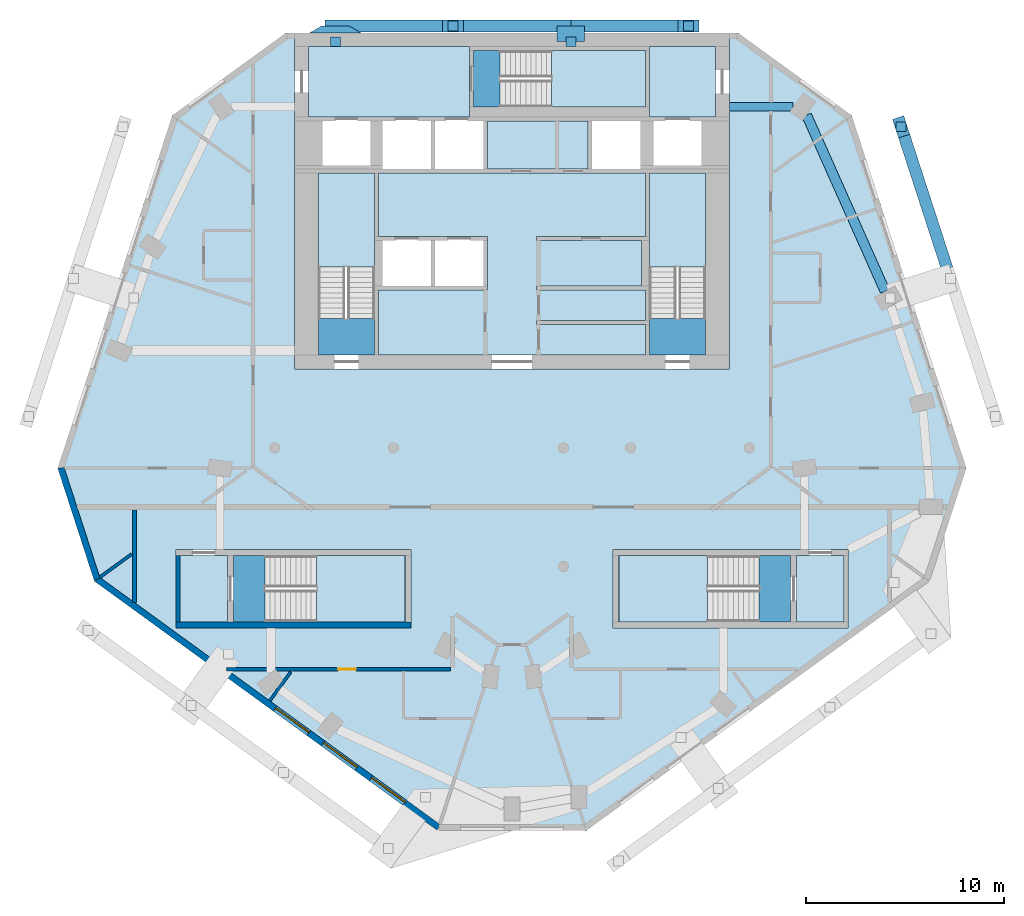
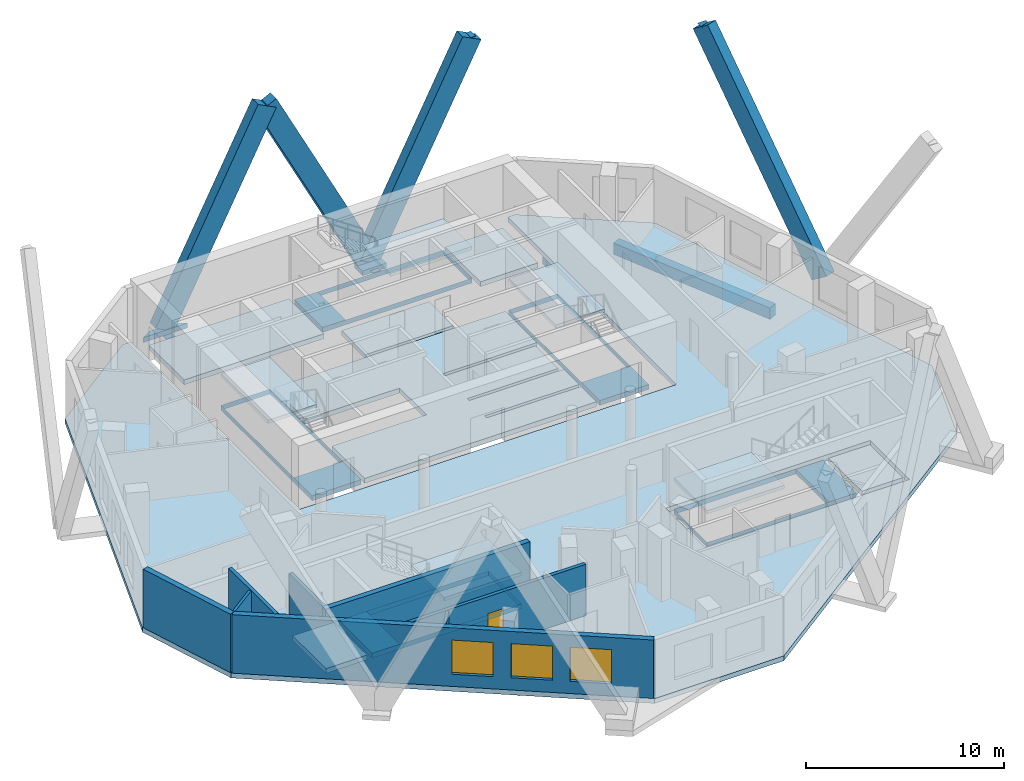
# One storey, part 2 of 8: 17 slabs, 8 walls, 6 members, 5 discrete accessories, 3 windows, 2 beams, 1 door, 4 openings, 5 elements without a shape of their own.
"""IFC4 building model written with IfcOpenShell, lengths in metres."""

from ifc_helpers import new_model, si_unit, direction, frame, frame_2d, origin, origin_2d, place, context, subcontext, project, spatial, polyline, rectangle, outline, extrude, material, layer, layer_set, material_profile, profile_set, type_object, element, fill, aggregate, save


model = new_model("IFC4")

# Units and contexts
model_context = context("Model", 3, precision=1e-05, world=origin(), true_north=direction((0.0, 1.0)))
body_context = subcontext(model_context, "Body", "Model", "MODEL_VIEW")
ifc_project = project(units=[si_unit("LENGTHUNIT", "METRE"), si_unit("AREAUNIT", "SQUARE_METRE"), si_unit("VOLUMEUNIT", "CUBIC_METRE"), si_unit("PLANEANGLEUNIT", "RADIAN"), si_unit("MASSUNIT", "GRAM", prefix="KILO")], contexts=[model_context])

# Site, building, storey
site_placement = place(None, origin())
site = spatial("IfcSite", under=ifc_project, at=site_placement, CompositionType="ELEMENT")
building_placement = place(site_placement, origin())
building = spatial("IfcBuilding", under=site, at=building_placement, Name="White Candle Pilgrim Tower", CompositionType="ELEMENT")
storey_placement = place(building_placement, frame((0.0, 0.0, 283.39990234375)))
storey = spatial("IfcBuildingStorey", under=building, at=storey_placement, Name="L67", CompositionType="ELEMENT", Elevation=283.39990234375)

# Member
ifc_material_1 = material(Name="Concrete C60/75, white", Category="concrete")
ifc_material_profile_1 = material_profile(ifc_material_1, rectangle(XDim=0.60009765625, YDim=1.199951171875, at=origin_2d()), Name="RC-DG 600x1200")
ifc_profile_set_1 = profile_set([ifc_material_profile_1], Name="Concrete C60/75, white")
member_type_1 = type_object("IfcMemberType", Name="Exoskeleton diagonal RC-DG 600x1200 C60/75", PredefinedType="BRACE", material=ifc_profile_set_1)
member_1_placement = place(storey_placement, frame((72.97900390625, 88.35009765625, 0.0), z_axis=(0.453776473678, 0.0, 0.891115543539), x_axis=(0.0, 1.0, 0.0)))
member_1 = element("IfcMember", 1, at=member_1_placement, inside=storey, type_object=member_type_1, Name="Exoskeleton diagonal EX250", PredefinedType="BRACE", context=body_context, shape_type="SweptSolid", body=[
    extrude(rectangle(XDim=0.60009765625, YDim=1.199951171875, at=origin_2d()), origin(), (0.0, 0.0, 1.0), 13.1298828125),
])

member_2_placement = place(storey_placement, frame((72.97900390625, 88.35009765625, 0.0), z_axis=(-0.453776473678, 0.0, 0.891115543539), x_axis=(0.0, -1.0, 0.0)))
member_2 = element("IfcMember", 2, at=member_2_placement, inside=storey, type_object=member_type_1, Name="Exoskeleton diagonal EX251", PredefinedType="BRACE", context=body_context, shape_type="SweptSolid", body=[
    extrude(rectangle(XDim=0.60009765625, YDim=1.199951171875, at=origin_2d()), origin(), (0.0, 0.0, 1.0), 13.1298828125),
])

member_3_placement = place(storey_placement, frame((61.06298828125, 88.35009765625, 0.0), z_axis=(0.453776473678, 0.0, 0.891115543539), x_axis=(0.0, 1.0, 0.0)))
element("IfcMember", 3, at=member_3_placement, inside=storey, type_object=member_type_1, Name="Exoskeleton diagonal EX252", PredefinedType="BRACE", context=body_context, shape_type="SweptSolid", body=[
    extrude(rectangle(XDim=0.60009765625, YDim=1.199951171875, at=origin_2d()), origin(), (0.0, 0.0, 1.0), 13.1298828125),
])

member_4_placement = place(storey_placement, frame((92.180908203125, 75.57763671875, 0.0), z_axis=(-0.175355122133, 0.539673171292, 0.823409648552), x_axis=(-0.951054092785, -0.309024453071, 0.0)))
member_4 = element("IfcMember", 4, at=member_4_placement, inside=storey, type_object=member_type_1, Name="Exoskeleton diagonal EX260", PredefinedType="BRACE", context=body_context, shape_type="SweptSolid", body=[
    extrude(rectangle(XDim=0.60009765625, YDim=1.199951171875, at=origin_2d()), origin(), (0.0, 0.0, 1.0), 14.20947265625),
])

ifc_material_2 = material(Name="Concrete C70/85, white", Category="concrete")
ifc_layer_1 = layer(ifc_material_2, 0.300048828125)
ifc_layer_set_1 = layer_set([ifc_layer_1], Name="Node tie strut 800x1400x300 C70/85")
member_type_2 = type_object("IfcMemberType", Name="Node tie strut 800x1400x300 C70/85", PredefinedType="STRUT", material=ifc_layer_set_1)
member_5_placement = place(storey_placement, frame((72.97900390625, 87.949951171875, -0.2998046875), z_axis=(0.0, 0.0, 1.0), x_axis=(-1.0, 0.0, 0.0)))
member_5 = element("IfcMember", 5, at=member_5_placement, inside=storey, type_object=member_type_2, Name="Node tie strut NC232", PredefinedType="STRUT", context=body_context, shape_type="SweptSolid", body=[
    extrude(rectangle(XDim=1.39990234375, YDim=0.800048828125, at=origin_2d()), origin(), (0.0, 0.0, 1.0), 0.300048828125),
])

member_6_placement = place(storey_placement, frame((0.0, 0.0, -0.2998046875)))
member_6 = element("IfcMember", 6, at=member_6_placement, inside=storey, type_object=member_type_2, Name="Node tie strut NC233", PredefinedType="STRUT", context=body_context, shape_type="SweptSolid", body=[
    extrude(outline(polyline([(59.762939453125, 88.0), (62.363037109375, 88.0), (61.762939453125, 88.35009765625), (60.363037109375, 88.35009765625), (59.762939453125, 88.0)])), origin(), (0.0, 0.0, 1.0), 0.2998046875),
])

# Beams
ifc_material_3 = material(Name="Concrete C50/60", Category="concrete")
ifc_material_profile_2 = material_profile(ifc_material_3, rectangle(XDim=0.449951171875, YDim=0.449951171875, at=origin_2d()), Name="RC-BM 450x450")
ifc_profile_set_2 = profile_set([ifc_material_profile_2], Name="Concrete C50/60")
beam_type_1 = type_object("IfcBeamType", Name="Spandrel beam RC-BM 450x450 C50/60", PredefinedType="BEAM", material=ifc_profile_set_2)
beam_1_placement = place(storey_placement, frame((84.2255859375, 84.260009765625, -0.52490234375), z_axis=(-1.0, 0.0, 0.0), x_axis=(0.0, -1.0, 0.0)))
element("IfcBeam", 7, at=beam_1_placement, inside=storey, type_object=beam_type_1, Name="L67 spandrel beam T10", PredefinedType="BEAM", context=body_context, shape_type="SweptSolid", body=[
    extrude(rectangle(XDim=0.449951171875, YDim=0.449951171875, at=origin_2d()), origin(), (0.0, 0.0, 1.0), 3.2255859375),
])
ifc_material_profile_3 = material_profile(ifc_material_3, rectangle(XDim=0.5, YDim=0.699951171875, at=origin_2d()), Name="RC-BM 500x700")
ifc_profile_set_3 = profile_set([ifc_material_profile_3], Name="Concrete C50/60")
beam_type_2 = type_object("IfcBeamType", Name="Spandrel beam RC-BM 500x700 C50/60", PredefinedType="BEAM", material=ifc_profile_set_3)
beam_2_placement = place(storey_placement, frame((88.876708984375, 74.9267578125, -0.64990234375), z_axis=(-0.406834969126, 0.913501673724, 0.0), x_axis=(-0.913501673724, -0.406834969126, 0.0)))
element("IfcBeam", 8, at=beam_2_placement, inside=storey, type_object=beam_type_2, Name="L67 spandrel beam T09", PredefinedType="BEAM", context=body_context, shape_type="SweptSolid", body=[
    extrude(rectangle(XDim=0.5, YDim=0.699951171875, at=origin_2d()), origin(), (0.0, 0.0, 1.0), 9.755126953125),
])

# Slabs
ifc_material_4 = material(Name="Concrete C40/50", Category="concrete")
ifc_layer_2 = layer(ifc_material_4, 0.300048828125)
ifc_layer_set_2 = layer_set([ifc_layer_2], Name="Core floor slab 300 mm Concrete C40/50")
slab_type_1 = type_object("IfcSlabType", Name="Core floor slab 300 mm Concrete C40/50", PredefinedType="FLOOR", material=ifc_layer_set_2)
slab_1_placement = place(storey_placement, frame((0.0, 0.0, -0.2998046875)))
element("IfcSlab", 9, at=slab_1_placement, inside=storey, type_object=slab_type_1, Name="CF-L67-01", PredefinedType="FLOOR", context=body_context, shape_type="SweptSolid", body=[
    extrude(outline(polyline([(55.60009765625, 58.199951171875), (53.199951171875, 58.199951171875), (53.199951171875, 61.550048828125), (55.60009765625, 61.550048828125), (55.60009765625, 58.199951171875)])), origin(), (0.0, 0.0, 1.0), 0.2998046875),
])
slab_2_placement = place(storey_placement, frame((0.0, 0.0, -0.2998046875)))
element("IfcSlab", 10, at=slab_2_placement, inside=storey, type_object=slab_type_1, Name="CF-L67-02", PredefinedType="FLOOR", context=body_context, shape_type="SweptSolid", body=[
    extrude(outline(polyline([(55.89990234375, 58.199951171875), (55.89990234375, 61.550048828125), (64.60009765625, 61.550048828125), (64.60009765625, 58.199951171875), (55.89990234375, 58.199951171875)]), holes=[polyline([(57.501953125, 61.548095703125), (57.501953125, 58.201904296875), (64.597900390625, 58.201904296875), (64.597900390625, 61.548095703125), (57.501953125, 61.548095703125)])]), origin(), (0.0, 0.0, 1.0), 0.2998046875),
])
slab_3_placement = place(storey_placement, frame((0.0, 0.0, -0.2998046875)))
element("IfcSlab", 11, at=slab_3_placement, inside=storey, type_object=slab_type_1, Name="CF-L67-03", PredefinedType="FLOOR", context=body_context, shape_type="SweptSolid", body=[
    extrude(outline(polyline([(75.39990234375, 58.199951171875), (75.39990234375, 61.550048828125), (84.10009765625, 61.550048828125), (84.10009765625, 58.199951171875), (75.39990234375, 58.199951171875)]), holes=[polyline([(82.498046875, 61.548095703125), (75.402099609375, 61.548095703125), (75.402099609375, 58.201904296875), (82.498046875, 58.201904296875), (82.498046875, 61.548095703125)])]), origin(), (0.0, 0.0, 1.0), 0.2998046875),
])
slab_4_placement = place(storey_placement, frame((0.0, 0.0, -0.2998046875)))
element("IfcSlab", 12, at=slab_4_placement, inside=storey, type_object=slab_type_1, Name="CF-L67-04", PredefinedType="FLOOR", context=body_context, shape_type="SweptSolid", body=[
    extrude(outline(polyline([(86.800048828125, 58.199951171875), (84.39990234375, 58.199951171875), (84.39990234375, 61.550048828125), (86.800048828125, 61.550048828125), (86.800048828125, 58.199951171875)])), origin(), (0.0, 0.0, 1.0), 0.2998046875),
])
slab_5_placement = place(storey_placement, frame((0.0, 0.0, -0.2998046875)))
element("IfcSlab", 13, at=slab_5_placement, inside=storey, type_object=slab_type_1, Name="CF-L67-05", PredefinedType="FLOOR", context=body_context, shape_type="SweptSolid", body=[
    extrude(outline(polyline([(76.949951171875, 71.699951171875), (76.949951171875, 73.25), (76.949951171875, 73.449951171875), (76.949951171875, 75.0), (76.949951171875, 75.199951171875), (76.949951171875, 77.5), (76.949951171875, 77.699951171875), (76.949951171875, 80.89990234375), (79.800048828125, 80.89990234375), (79.800048828125, 71.699951171875), (76.949951171875, 71.699951171875)]), holes=[polyline([(76.951904296875, 73.552001953125), (79.798095703125, 73.552001953125), (79.798095703125, 80.89794921875), (76.951904296875, 80.89794921875), (76.951904296875, 73.552001953125)])]), origin(), (0.0, 0.0, 1.0), 0.2998046875),
])
slab_6_placement = place(storey_placement, frame((0.0, 0.0, -0.2998046875)))
element("IfcSlab", 14, at=slab_6_placement, inside=storey, type_object=slab_type_1, Name="CF-L67-06", PredefinedType="FLOOR", context=body_context, shape_type="SweptSolid", body=[
    extrude(outline(polyline([(63.25, 71.699951171875), (63.25, 75.0), (68.75, 75.0), (68.75, 75.199951171875), (68.75, 77.5), (68.75, 77.699951171875), (63.25, 77.699951171875), (63.25, 80.89990234375), (76.75, 80.89990234375), (76.75, 77.699951171875), (71.25, 77.699951171875), (71.25, 77.5), (76.550048828125, 77.5), (76.550048828125, 75.199951171875), (71.25, 75.199951171875), (71.25, 75.0), (76.75, 75.0), (76.75, 73.449951171875), (71.25, 73.449951171875), (71.25, 73.25), (76.75, 73.25), (76.75, 71.699951171875), (63.25, 71.699951171875)])), origin(), (0.0, 0.0, 1.0), 0.2998046875),
])
slab_7_placement = place(storey_placement, frame((0.0, 0.0, -0.2998046875)))
element("IfcSlab", 15, at=slab_7_placement, inside=storey, type_object=slab_type_1, Name="CF-L67-07", PredefinedType="FLOOR", context=body_context, shape_type="SweptSolid", body=[
    extrude(outline(polyline([(60.199951171875, 71.699951171875), (60.199951171875, 80.89990234375), (63.050048828125, 80.89990234375), (63.050048828125, 77.699951171875), (63.050048828125, 77.5), (63.050048828125, 75.199951171875), (63.050048828125, 75.0), (63.050048828125, 71.699951171875), (60.199951171875, 71.699951171875)]), holes=[polyline([(60.201904296875, 73.552001953125), (63.048095703125, 73.552001953125), (63.048095703125, 80.89794921875), (60.201904296875, 80.89794921875), (60.201904296875, 73.552001953125)])]), origin(), (0.0, 0.0, 1.0), 0.2998046875),
])
slab_8_placement = place(storey_placement, frame((0.0, 0.0, -0.2998046875)))
element("IfcSlab", 16, at=slab_8_placement, inside=storey, type_object=slab_type_1, Name="CF-L67-08", PredefinedType="FLOOR", context=body_context, shape_type="SweptSolid", body=[
    extrude(outline(polyline([(59.699951171875, 87.300048828125), (67.85009765625, 87.300048828125), (67.85009765625, 87.10009765625), (67.85009765625, 84.25), (67.85009765625, 83.75), (59.699951171875, 83.75), (59.699951171875, 87.300048828125)])), origin(), (0.0, 0.0, 1.0), 0.2998046875),
])
slab_9_placement = place(storey_placement, frame((0.0, 0.0, -0.2998046875)))
element("IfcSlab", 17, at=slab_9_placement, inside=storey, type_object=slab_type_1, Name="CF-L67-09", PredefinedType="FLOOR", context=body_context, shape_type="SweptSolid", body=[
    extrude(outline(polyline([(80.300048828125, 87.300048828125), (80.300048828125, 83.75), (76.949951171875, 83.75), (76.949951171875, 84.25), (76.949951171875, 87.10009765625), (76.949951171875, 87.300048828125), (80.300048828125, 87.300048828125)])), origin(), (0.0, 0.0, 1.0), 0.2998046875),
])
slab_10_placement = place(storey_placement, frame((0.0, 0.0, -0.2998046875)))
element("IfcSlab", 18, at=slab_10_placement, inside=storey, type_object=slab_type_1, Name="CF-L67-10", PredefinedType="FLOOR", context=body_context, shape_type="SweptSolid", body=[
    extrude(outline(polyline([(68.75, 81.10009765625), (68.75, 83.550048828125), (73.85009765625, 83.550048828125), (73.85009765625, 81.10009765625), (68.75, 81.10009765625)])), origin(), (0.0, 0.0, 1.0), 0.2998046875),
])
slab_11_placement = place(storey_placement, frame((0.0, 0.0, -0.2998046875)))
element("IfcSlab", 19, at=slab_11_placement, inside=storey, type_object=slab_type_1, Name="CF-L67-11", PredefinedType="FLOOR", context=body_context, shape_type="SweptSolid", body=[
    extrude(outline(polyline([(68.050048828125, 87.10009765625), (76.75, 87.10009765625), (76.75, 84.25), (68.050048828125, 84.25), (68.050048828125, 87.10009765625)]), holes=[polyline([(69.402099609375, 84.251953125), (76.748046875, 84.251953125), (76.748046875, 87.097900390625), (69.402099609375, 87.097900390625), (69.402099609375, 84.251953125)])]), origin(), (0.0, 0.0, 1.0), 0.2998046875),
])
ifc_layer_3 = layer(ifc_material_4, 0.300048828125)
ifc_layer_set_3 = layer_set([ifc_layer_3], Name="Floor slab 300 REI 120")
slab_type_2 = type_object("IfcSlabType", Name="Floor slab 300 REI 120", PredefinedType="FLOOR", material=ifc_layer_set_3)
slab_12_placement = place(storey_placement, frame((0.0, 0.0, -0.2998046875)))
element("IfcSlab", 20, at=slab_12_placement, inside=storey, type_object=slab_type_2, Name="L67 floor slab", PredefinedType="FLOOR", context=body_context, shape_type="SweptSolid", body=[
    extrude(outline(polyline([(66.242919921875, 47.6337890625), (73.757080078125, 47.6337890625), (91.129638671875, 60.255859375), (92.98779296875, 65.974853515625), (87.189453125, 83.82080078125), (81.43701171875, 88.0), (81.0, 88.0), (81.0, 71.0), (59.0, 71.0), (59.0, 88.0), (58.56298828125, 88.0), (52.810546875, 83.82080078125), (47.01220703125, 65.974853515625), (48.870361328125, 60.255859375), (66.242919921875, 47.6337890625)]), holes=[polyline([(53.0, 57.89990234375), (53.0, 61.85009765625), (64.89990234375, 61.85009765625), (64.89990234375, 57.89990234375), (53.0, 57.89990234375)]), polyline([(75.10009765625, 57.89990234375), (75.10009765625, 61.85009765625), (87.0, 61.85009765625), (87.0, 57.89990234375), (75.10009765625, 57.89990234375)])]), origin(), (0.0, 0.0, 1.0), 0.2998046875),
])

# Stair, slab
stair_type_1 = type_object("IfcStairType", Name="Exit stair 1 flight width 1350 mm", PredefinedType="HALF_TURN_STAIR", material=ifc_material_4)
stair_1_placement = place(storey_placement, origin())
stair_1 = element("IfcStair", 21, at=stair_1_placement, inside=storey, type_object=stair_type_1, Name="L67 stair 1", PredefinedType="NOTDEFINED")
ifc_layer_4 = layer(ifc_material_4, 0.199951171875)
ifc_layer_set_4 = layer_set([ifc_layer_4], Name="Stair landing Concrete C40/50")
slab_type_3 = type_object("IfcSlabType", Name="Stair landing Concrete C40/50", PredefinedType="LANDING", material=ifc_layer_set_4)
slab_13_placement = place(storey_placement, frame((0.0, 0.0, 1.75)))
slab_13 = element("IfcSlab", 22, at=slab_13_placement, type_object=slab_type_3, Name="ST1 landing 1", PredefinedType="LANDING", context=body_context, shape_type="SweptSolid", body=[
    extrude(outline(polyline([(63.052001953125, 76.14794921875), (60.197998046875, 76.14794921875), (60.197998046875, 80.902099609375), (63.052001953125, 80.902099609375), (63.052001953125, 76.14794921875)])), origin(), (0.0, 0.0, 1.0), 0.2001953125),
])
aggregate(stair_1, [slab_13])

stair_type_2 = type_object("IfcStairType", Name="Exit stair 2 flight width 1350 mm", PredefinedType="HALF_TURN_STAIR", material=ifc_material_4)
stair_2_placement = place(storey_placement, origin())
stair_2 = element("IfcStair", 23, at=stair_2_placement, inside=storey, type_object=stair_type_2, Name="L67 stair 2", PredefinedType="NOTDEFINED")
slab_14_placement = place(storey_placement, frame((0.0, 0.0, 1.75)))
slab_14 = element("IfcSlab", 24, at=slab_14_placement, type_object=slab_type_3, Name="ST2 landing 1", PredefinedType="LANDING", context=body_context, shape_type="SweptSolid", body=[
    extrude(outline(polyline([(79.802001953125, 76.14794921875), (76.947998046875, 76.14794921875), (76.947998046875, 80.902099609375), (79.802001953125, 80.902099609375), (79.802001953125, 76.14794921875)])), origin(), (0.0, 0.0, 1.0), 0.2001953125),
])
aggregate(stair_2, [slab_14])

stair_type_3 = type_object("IfcStairType", Name="Exit stair 3 flight width 1350 mm", PredefinedType="HALF_TURN_STAIR", material=ifc_material_4)
stair_3_placement = place(storey_placement, origin())
stair_3 = element("IfcStair", 25, at=stair_3_placement, inside=storey, type_object=stair_type_3, Name="L67 stair 3", PredefinedType="NOTDEFINED")
slab_15_placement = place(storey_placement, frame((0.0, 0.0, 1.75)))
slab_15 = element("IfcSlab", 26, at=slab_15_placement, type_object=slab_type_3, Name="ST3 landing 1", PredefinedType="LANDING", context=body_context, shape_type="SweptSolid", body=[
    extrude(outline(polyline([(71.998046875, 84.248046875), (71.998046875, 87.10205078125), (76.751953125, 87.10205078125), (76.751953125, 84.248046875), (71.998046875, 84.248046875)])), origin(), (0.0, 0.0, 1.0), 0.2001953125),
])
aggregate(stair_3, [slab_15])

stair_type_4 = type_object("IfcStairType", Name="Exit stair 4 flight width 1600 mm", PredefinedType="HALF_TURN_STAIR", material=ifc_material_4)
stair_4_placement = place(storey_placement, origin())
stair_4 = element("IfcStair", 27, at=stair_4_placement, inside=storey, type_object=stair_type_4, Name="L67 stair 4", PredefinedType="NOTDEFINED")
slab_16_placement = place(storey_placement, frame((0.0, 0.0, 1.75)))
slab_16 = element("IfcSlab", 28, at=slab_16_placement, type_object=slab_type_3, Name="ST4 landing 1", PredefinedType="LANDING", context=body_context, shape_type="SweptSolid", body=[
    extrude(outline(polyline([(79.902099609375, 61.552001953125), (79.902099609375, 58.197998046875), (75.39794921875, 58.197998046875), (75.39794921875, 61.552001953125), (79.902099609375, 61.552001953125)])), origin(), (0.0, 0.0, 1.0), 0.2001953125),
])
aggregate(stair_4, [slab_16])

stair_type_5 = type_object("IfcStairType", Name="Exit stair 5 flight width 1600 mm", PredefinedType="HALF_TURN_STAIR", material=ifc_material_4)
stair_5_placement = place(storey_placement, origin())
stair_5 = element("IfcStair", 29, at=stair_5_placement, inside=storey, type_object=stair_type_5, Name="L67 stair 5", PredefinedType="NOTDEFINED")
slab_17_placement = place(storey_placement, frame((0.0, 0.0, 1.75)))
slab_17 = element("IfcSlab", 30, at=slab_17_placement, type_object=slab_type_3, Name="ST5 landing 1", PredefinedType="LANDING", context=body_context, shape_type="SweptSolid", body=[
    extrude(outline(polyline([(60.097900390625, 58.197998046875), (60.097900390625, 61.552001953125), (64.60205078125, 61.552001953125), (64.60205078125, 58.197998046875), (60.097900390625, 58.197998046875)])), origin(), (0.0, 0.0, 1.0), 0.2001953125),
])
aggregate(stair_5, [slab_17])

# Walls
ifc_layer_5 = layer(ifc_material_3, 0.199951171875)
ifc_layer_set_5 = layer_set([ifc_layer_5], Name="Core wall 200 mm Concrete C50/60")
wall_type_1 = type_object("IfcWallType", Name="Core wall 200 mm Concrete C50/60", PredefinedType="SHEAR", material=ifc_layer_set_5)
wall_1_placement = place(storey_placement, frame((53.10009765625, 58.199951171875, 0.0), z_axis=(0.0, 0.0, 1.0), x_axis=(0.0, 1.0, 0.0)))
element("IfcWall", 31, at=wall_1_placement, inside=storey, type_object=wall_type_1, Name="WL-L67-C03", PredefinedType="SHEAR", context=body_context, shape_type="SweptSolid", body=[
    extrude(rectangle(XDim=3.35009765625, YDim=0.199951171875, at=frame_2d((1.675048828125, 0.0))), origin(), (0.0, 0.0, 1.0), 3.900146484375),
])
ifc_material_5 = material(Name="Gypsum board on steel studs", Category="steel")
ifc_layer_6 = layer(ifc_material_5, 0.199951171875)
ifc_layer_set_6 = layer_set([ifc_layer_6], Name="Corridor wall 200 mm EI 45")
wall_type_2 = type_object("IfcWallType", Name="Corridor wall 200 mm EI 45", PredefinedType="PARTITIONING", material=ifc_layer_set_6)
wall_2_placement = place(storey_placement, frame((50.89990234375, 59.1767578125, 0.0), z_axis=(0.0, 0.0, 1.0), x_axis=(0.0, 1.0, 0.0)))
element("IfcWall", 32, at=wall_2_placement, inside=storey, type_object=wall_type_2, Name="WL-L67-P002", PredefinedType="PARTITIONING", context=body_context, shape_type="SweptSolid", body=[
    extrude(rectangle(XDim=4.67333984375, YDim=0.199951171875, at=frame_2d((2.336669921875, 0.0))), origin(), (0.0, 0.0, 1.0), 3.60009765625),
])

# Wall, opening, door
wall_3_placement = place(storey_placement, frame((66.89990234375, 55.800048828125, 0.0), z_axis=(0.0, 0.0, 1.0), x_axis=(-1.0, 0.0, 0.0)))
wall_3 = element("IfcWall", 33, at=wall_3_placement, inside=storey, type_object=wall_type_2, Name="WL-L67-P014", PredefinedType="PARTITIONING", context=body_context, shape_type="SweptSolid", body=[
    extrude(rectangle(XDim=11.352294921875, YDim=0.199951171875, at=frame_2d((5.67626953125, 0.0))), origin(), (0.0, 0.0, 1.0), 3.150146484375),
])
opening_1_placement = place(wall_3_placement, frame((4.7978515625, 0.0, 0.0)))
opening_1 = element("IfcOpeningElement", 34, at=opening_1_placement, cuts=wall_3, Name="Opening T21-103", PredefinedType="OPENING", context=body_context, shape_type="SweptSolid", body=[
    extrude(rectangle(XDim=0.89990234375, YDim=2.10009765625, at=frame_2d((0.449951171875, 1.050048828125))), frame((0.0, 0.10986328125, 0.0), z_axis=(0.0, -1.0, 0.0), x_axis=(1.0, 0.0, 0.0)), (0.0, 0.0, 1.0), 0.219970703125),
])
ifc_material_6 = material(Name="Steel door leaf", Category="steel")
door_type = type_object("IfcDoorType", Name="Fire door 900 x 2100 EI 30", OperationType="NOTDEFINED", PredefinedType="DOOR", material=ifc_material_6)
door_placement = place(opening_1_placement, origin())
door = element("IfcDoor", 35, at=door_placement, inside=storey, type_object=door_type, Name="Door T21-103", OperationType="SINGLE_SWING_LEFT", OverallHeight=2.10009765625, OverallWidth=0.89990234375, PredefinedType="DOOR", context=body_context, shape_type="SweptSolid", body=[
    extrude(rectangle(XDim=0.89990234375, YDim=2.10009765625, at=frame_2d((0.449951171875, 1.050048828125))), frame((0.0, 0.02490234375, 0.0), z_axis=(0.0, -1.0, 0.0), x_axis=(1.0, 0.0, 0.0)), (0.0, 0.0, 1.0), 0.050048828125),
])
fill(opening_1, door)

# Wall
ifc_material_7 = material(Name="Precast concrete C40/50", Category="concrete")
ifc_layer_7 = layer(ifc_material_7, 0.320068359375)
ifc_layer_set_7 = layer_set([ifc_layer_7], Name="Facade wall EW1 precast concrete C40/50 pier wall with timber-lined reveals")
wall_type_3 = type_object("IfcWallType", Name="Facade wall EW1 precast concrete C40/50 pier wall with timber-lined reveals", PredefinedType="SOLIDWALL", material=ifc_layer_set_7)
wall_4_placement = place(storey_placement, frame((47.180419921875, 65.974853515625, 0.0), z_axis=(0.0, 0.0, 1.0), x_axis=(0.30899265151, -0.951064425427, 0.0)))
element("IfcWall", 36, at=wall_4_placement, inside=storey, type_object=wall_type_3, Name="Facade wall L67 W chamfer", PredefinedType="SOLIDWALL", context=body_context, shape_type="SweptSolid", body=[
    extrude(rectangle(XDim=5.9091796875, YDim=0.320068359375, at=frame_2d((2.95458984375, 0.0))), origin(), (0.0, 0.0, 1.0), 3.60009765625),
])

# Wall, openings, windows
wall_5_placement = place(storey_placement, frame((49.00634765625, 60.354736328125, 0.0), z_axis=(0.0, 0.0, 1.0), x_axis=(0.809019072803, -0.58778239157, 0.0)))
wall_5 = element("IfcWall", 37, at=wall_5_placement, inside=storey, type_object=wall_type_3, Name="Facade wall L67 SW", PredefinedType="SOLIDWALL", context=body_context, shape_type="SweptSolid", body=[
    extrude(rectangle(XDim=21.369873046875, YDim=0.320068359375, at=frame_2d((10.68505859375, 0.0))), origin(), (0.0, 0.0, 1.0), 3.60009765625),
])
opening_2_placement = place(wall_5_placement, frame((11.135009765625, 0.0, 0.75)))
opening_2 = element("IfcOpeningElement", 38, at=opening_2_placement, cuts=wall_5, Name="Opening W3", PredefinedType="OPENING", context=body_context, shape_type="SweptSolid", body=[
    extrude(rectangle(XDim=2.10009765625, YDim=2.10009765625, at=frame_2d((1.050048828125, 1.050048828125))), frame((0.0, 0.169921875, 0.0), z_axis=(0.0, -1.0, 0.0), x_axis=(1.0, 0.0, 0.0)), (0.0, 0.0, 1.0), 0.340087890625),
])
opening_3_placement = place(wall_5_placement, frame((14.135009765625, 0.0, 0.75)))
opening_3 = element("IfcOpeningElement", 39, at=opening_3_placement, cuts=wall_5, Name="Opening W3", PredefinedType="OPENING", context=body_context, shape_type="SweptSolid", body=[
    extrude(rectangle(XDim=2.10009765625, YDim=2.10009765625, at=frame_2d((1.050048828125, 1.050048828125))), frame((0.0, 0.169921875, 0.0), z_axis=(0.0, -1.0, 0.0), x_axis=(1.0, 0.0, 0.0)), (0.0, 0.0, 1.0), 0.340087890625),
])
opening_4_placement = place(wall_5_placement, frame((17.135009765625, 0.0, 0.75)))
opening_4 = element("IfcOpeningElement", 40, at=opening_4_placement, cuts=wall_5, Name="Opening W3", PredefinedType="OPENING", context=body_context, shape_type="SweptSolid", body=[
    extrude(rectangle(XDim=2.10009765625, YDim=2.10009765625, at=frame_2d((1.050048828125, 1.050048828125))), frame((0.0, 0.169921875, 0.0), z_axis=(0.0, -1.0, 0.0), x_axis=(1.0, 0.0, 0.0)), (0.0, 0.0, 1.0), 0.340087890625),
])
ifc_material_8 = material(Name="Timber frame with triple glazing", Category="wood")
window_type = type_object("IfcWindowType", Name="Window W3 2100x2100 timber frame triple glazing", PartitioningType="SINGLE_PANEL", PredefinedType="WINDOW", material=ifc_material_8)
window_1_placement = place(opening_2_placement, origin())
window_1 = element("IfcWindow", 41, at=window_1_placement, inside=storey, type_object=window_type, Name="Window W3 L67 SW 4", OverallHeight=2.10009765625, OverallWidth=2.10009765625, PartitioningType="SINGLE_PANEL", PredefinedType="WINDOW", context=body_context, shape_type="SweptSolid", body=[
    extrude(rectangle(XDim=2.10009765625, YDim=2.10009765625, at=frame_2d((1.050048828125, 1.050048828125))), frame((0.0, 0.070068359375, 0.0), z_axis=(0.0, -1.0, 0.0), x_axis=(1.0, 0.0, 0.0)), (0.0, 0.0, 1.0), 0.06005859375),
])
fill(opening_2, window_1)
window_2_placement = place(opening_3_placement, origin())
window_2 = element("IfcWindow", 42, at=window_2_placement, inside=storey, type_object=window_type, Name="Window W3 L67 SW 5", OverallHeight=2.10009765625, OverallWidth=2.10009765625, PartitioningType="SINGLE_PANEL", PredefinedType="WINDOW", context=body_context, shape_type="SweptSolid", body=[
    extrude(rectangle(XDim=2.10009765625, YDim=2.10009765625, at=frame_2d((1.050048828125, 1.050048828125))), frame((0.0, 0.070068359375, 0.0), z_axis=(0.0, -1.0, 0.0), x_axis=(1.0, 0.0, 0.0)), (0.0, 0.0, 1.0), 0.06005859375),
])
fill(opening_3, window_2)
window_3_placement = place(opening_4_placement, origin())
window_3 = element("IfcWindow", 43, at=window_3_placement, inside=storey, type_object=window_type, Name="Window W3 L67 SW 6", OverallHeight=2.10009765625, OverallWidth=2.10009765625, PartitioningType="SINGLE_PANEL", PredefinedType="WINDOW", context=body_context, shape_type="SweptSolid", body=[
    extrude(rectangle(XDim=2.10009765625, YDim=2.10009765625, at=frame_2d((1.050048828125, 1.050048828125))), frame((0.0, 0.070068359375, 0.0), z_axis=(0.0, -1.0, 0.0), x_axis=(1.0, 0.0, 0.0)), (0.0, 0.0, 1.0), 0.06005859375),
])
fill(opening_4, window_3)

# Walls
ifc_layer_8 = layer(ifc_material_5, 0.14990234375)
ifc_layer_set_8 = layer_set([ifc_layer_8], Name="Partition 150 mm EI 60")
wall_type_4 = type_object("IfcWallType", Name="Partition 150 mm EI 60", PredefinedType="PARTITIONING", material=ifc_layer_set_8)
wall_6_placement = place(storey_placement, frame((49.142578125, 60.45361328125, 0.0), z_axis=(0.0, 0.0, 1.0), x_axis=(0.809016588302, 0.587785811204, 0.0)))
element("IfcWall", 44, at=wall_6_placement, inside=storey, type_object=wall_type_4, Name="WL-L67-P017", PredefinedType="PARTITIONING", context=body_context, shape_type="SweptSolid", body=[
    extrude(rectangle(XDim=1.994140625, YDim=0.14990234375, at=frame_2d((0.9970703125, 0.0))), origin(), (0.0, 0.0, 1.0), 3.60009765625),
])
wall_7_placement = place(storey_placement, frame((57.74462890625, 54.20361328125, 0.0), z_axis=(0.0, 0.0, 1.0), x_axis=(0.58776731683, 0.809030024947, 0.0)))
element("IfcWall", 45, at=wall_7_placement, inside=storey, type_object=wall_type_4, Name="WL-L67-P029", PredefinedType="PARTITIONING", context=body_context, shape_type="SweptSolid", body=[
    extrude(rectangle(XDim=1.795166015625, YDim=0.14990234375, at=frame_2d((0.8974609375, 0.0))), origin(), (0.0, 0.0, 1.0), 3.150146484375),
])
ifc_layer_9 = layer(ifc_material_3, 0.300048828125)
ifc_layer_set_9 = layer_set([ifc_layer_9], Name="Stair shaft wall 300 mm Concrete C50/60")
wall_type_5 = type_object("IfcWallType", Name="Stair shaft wall 300 mm Concrete C50/60", PredefinedType="SHEAR", material=ifc_layer_set_9)
wall_8_placement = place(storey_placement, frame((53.0, 58.050048828125, 0.0), z_axis=(0.0, 0.0, 1.0), x_axis=(1.0, 0.0, 0.0)))
element("IfcWall", 46, at=wall_8_placement, inside=storey, type_object=wall_type_5, Name="WL-L67-C01", PredefinedType="SHEAR", context=body_context, shape_type="SweptSolid", body=[
    extrude(rectangle(XDim=11.89990234375, YDim=0.300048828125, at=frame_2d((5.949951171875, 0.0))), origin(), (0.0, 0.0, 1.0), 3.900146484375),
])

# Discrete accessory
ifc_material_9 = material(Name="Steel S355", Category="steel")
ifc_layer_10 = layer(ifc_material_9, 0.02490234375)
ifc_layer_set_10 = layer_set([ifc_layer_10], Name="Gusset plate 500x500x25 S355")
discrete_accessory_type = type_object("IfcDiscreteAccessoryType", Name="Gusset plate 500x500x25 S355", PredefinedType="BRACKET", material=ifc_layer_set_10)
placement = place(building_placement, frame((0.0, 0.0, 295.10009765625)))
discrete_accessory_1_placement = place(placement, frame((78.93701171875, 88.35009765625, -0.012451171875), z_axis=(0.0, 0.0, 1.0), x_axis=(1.0, 0.0, 0.0)))
discrete_accessory_1 = element("IfcDiscreteAccessory", 47, at=discrete_accessory_1_placement, type_object=discrete_accessory_type, Name="Gusset plate 0289", PredefinedType="BRACKET", context=body_context, shape_type="SweptSolid", body=[
    extrude(rectangle(XDim=0.5, YDim=0.5, at=origin_2d()), origin(), (0.0, 0.0, 1.0), 0.02490234375),
])

aggregate(member_1, [discrete_accessory_1])

discrete_accessory_2_placement = place(placement, frame((67.02099609375, 88.35009765625, -0.012451171875), z_axis=(0.0, 0.0, 1.0), x_axis=(1.0, 0.0, 0.0)))
discrete_accessory_2 = element("IfcDiscreteAccessory", 48, at=discrete_accessory_2_placement, type_object=discrete_accessory_type, Name="Gusset plate 0290", PredefinedType="BRACKET", context=body_context, shape_type="SweptSolid", body=[
    extrude(rectangle(XDim=0.5, YDim=0.5, at=origin_2d()), origin(), (0.0, 0.0, 1.0), 0.02490234375),
])

aggregate(member_2, [discrete_accessory_2])

discrete_accessory_3_placement = place(placement, frame((89.689208984375, 83.24609375, -0.012451171875), z_axis=(0.0, 0.0, 1.0), x_axis=(1.0, 0.0, 0.0)))
discrete_accessory_3 = element("IfcDiscreteAccessory", 49, at=discrete_accessory_3_placement, type_object=discrete_accessory_type, Name="Gusset plate 0302", PredefinedType="BRACKET", context=body_context, shape_type="SweptSolid", body=[
    extrude(rectangle(XDim=0.5, YDim=0.5, at=origin_2d()), origin(), (0.0, 0.0, 1.0), 0.02490234375),
])

aggregate(member_4, [discrete_accessory_3])

discrete_accessory_4_placement = place(storey_placement, frame((72.97900390625, 87.550048828125, -0.162353515625), z_axis=(0.0, 0.0, 1.0), x_axis=(1.0, 0.0, 0.0)))
discrete_accessory_4 = element("IfcDiscreteAccessory", 50, at=discrete_accessory_4_placement, type_object=discrete_accessory_type, Name="Gusset plate 0613", PredefinedType="BRACKET", context=body_context, shape_type="SweptSolid", body=[
    extrude(rectangle(XDim=0.5, YDim=0.5, at=origin_2d()), origin(), (0.0, 0.0, 1.0), 0.02490234375),
])

aggregate(member_5, [discrete_accessory_4])

discrete_accessory_5_placement = place(storey_placement, frame((61.06298828125, 87.550048828125, -0.162353515625), z_axis=(0.0, 0.0, 1.0), x_axis=(1.0, 0.0, 0.0)))
discrete_accessory_5 = element("IfcDiscreteAccessory", 51, at=discrete_accessory_5_placement, type_object=discrete_accessory_type, Name="Gusset plate 0614", PredefinedType="BRACKET", context=body_context, shape_type="SweptSolid", body=[
    extrude(rectangle(XDim=0.5, YDim=0.5, at=origin_2d()), origin(), (0.0, 0.0, 1.0), 0.02490234375),
])

aggregate(member_6, [discrete_accessory_5])

save(model, "model.ifc")
